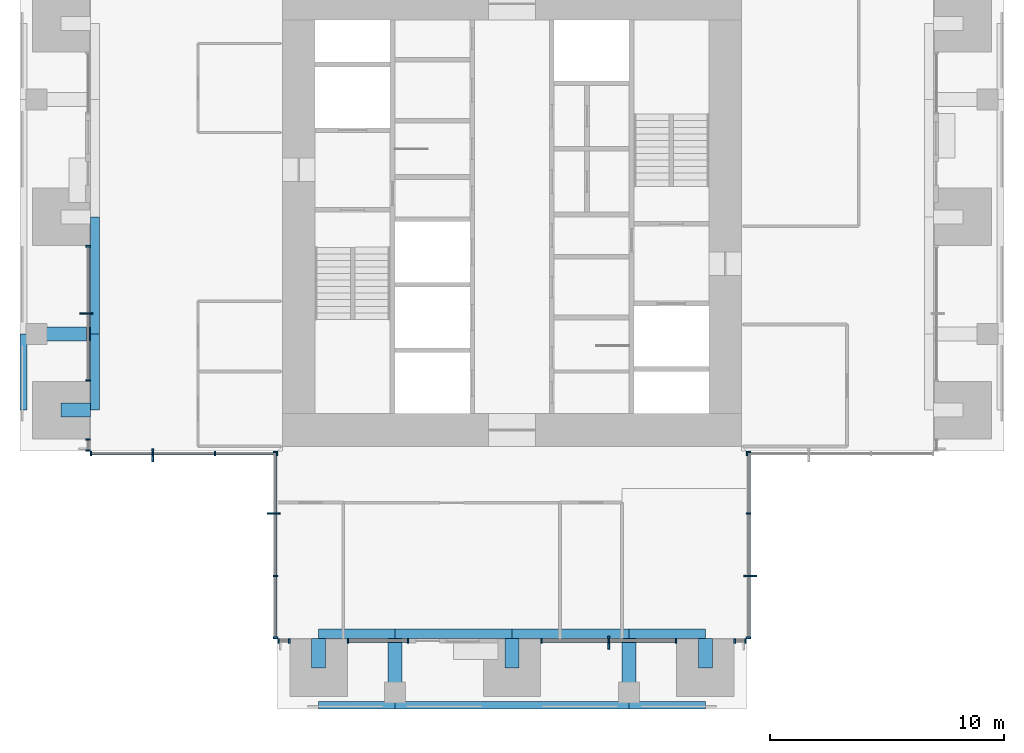
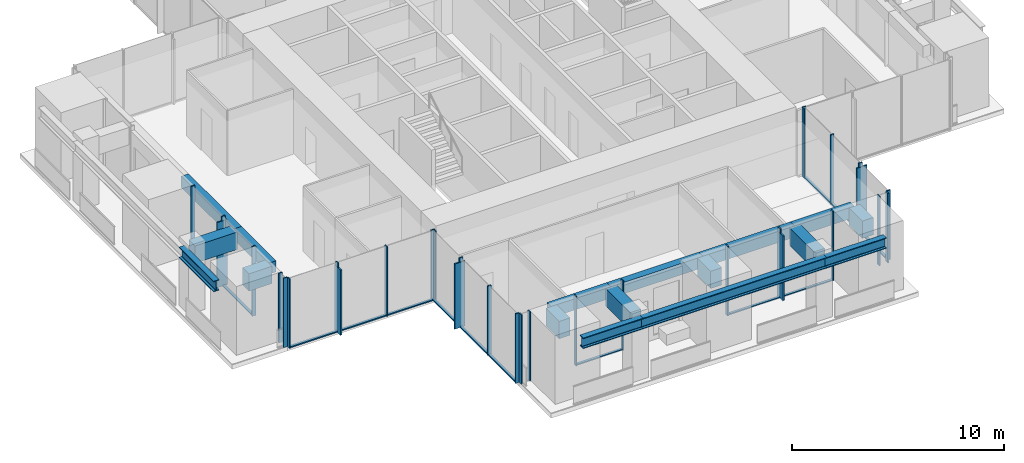
# One storey, part 2 of 17: 46 members, 17 beams, 10 elements without a shape of their own.
"""IFC4 building model written with IfcOpenShell, lengths in metres."""

from ifc_helpers import new_model, si_unit, direction, frame, origin, origin_2d, place, context, subcontext, project, spatial, rectangle, i_section, extrude, material, material_profile, profile_set, type_object, element, aggregate, save


model = new_model("IFC4")

# Units and contexts
model_context = context("Model", 3, precision=1e-05, world=origin(), true_north=direction((0.0, 1.0)))
body_context = subcontext(model_context, "Body", "Model", "MODEL_VIEW")
ifc_project = project(units=[si_unit("LENGTHUNIT", "METRE"), si_unit("AREAUNIT", "SQUARE_METRE"), si_unit("VOLUMEUNIT", "CUBIC_METRE"), si_unit("PLANEANGLEUNIT", "RADIAN"), si_unit("MASSUNIT", "GRAM", prefix="KILO")], contexts=[model_context])

# Site, building, storey
site_placement = place(None, origin())
site = spatial("IfcSite", under=ifc_project, at=site_placement, CompositionType="ELEMENT")
building_placement = place(site_placement, origin())
building = spatial("IfcBuilding", under=site, at=building_placement, Name="Svetlomir Tower", CompositionType="ELEMENT")
storey_placement = place(building_placement, frame((0.0, 0.0, 222.5)))
storey = spatial("IfcBuildingStorey", under=building, at=storey_placement, Name="L53", CompositionType="ELEMENT", Elevation=222.5)

# Curtain wall, member
ifc_material_1 = material(Name="Bronze anodised aluminium curtain wall", Category="aluminium")
curtain_wall_type = type_object("IfcCurtainWallType", Name="CURTAIN WALL CW1 TOWER OFFICE", PredefinedType="NOTDEFINED", material=ifc_material_1)
curtain_wall_1_placement = place(storey_placement, origin())
curtain_wall_1 = element("IfcCurtainWall", 1, at=curtain_wall_1_placement, inside=storey, type_object=curtain_wall_type, Name="Curtain wall CW1 L53", PredefinedType="NOTDEFINED")
ifc_material_2 = material(Name="Bronze anodised aluminium", Category="aluminium")
ifc_material_profile_1 = material_profile(ifc_material_2, rectangle(XDim=0.080078125, YDim=0.550048828125, at=origin_2d()), Name="FIN 80x550")
ifc_profile_set_1 = profile_set([ifc_material_profile_1], Name="Bronze anodised aluminium 6063-T6")
member_type_1 = type_object("IfcMemberType", Name="BRONZE FIN 80x550", PredefinedType="USERDEFINED", material=ifc_profile_set_1)
member_1_placement = place(storey_placement, frame((25.125, 2.824951171875, 0.0), z_axis=(0.0, 0.0, 1.0), x_axis=(1.0, 0.0, 0.0)))
member_1 = element("IfcMember", 2, at=member_1_placement, type_object=member_type_1, Name="Bronze fin L53", ObjectType="FIN", PredefinedType="USERDEFINED", context=body_context, shape_type="SweptSolid", body=[
    extrude(rectangle(XDim=0.080078125, YDim=0.550048828125, at=origin_2d()), origin(), (0.0, 0.0, 1.0), 3.75),
])

curtain_wall_2_placement = place(storey_placement, origin())
curtain_wall_2 = element("IfcCurtainWall", 3, at=curtain_wall_2_placement, inside=storey, type_object=curtain_wall_type, Name="Curtain wall CW1 L53", PredefinedType="NOTDEFINED")
member_2_placement = place(storey_placement, frame((31.175048828125, 5.666748046875, 0.0), z_axis=(0.0, 0.0, 1.0), x_axis=(0.0, 1.0, 0.0)))
member_2 = element("IfcMember", 4, at=member_2_placement, type_object=member_type_1, Name="Bronze fin L53", ObjectType="FIN", PredefinedType="USERDEFINED", context=body_context, shape_type="SweptSolid", body=[
    extrude(rectangle(XDim=0.080078125, YDim=0.550048828125, at=origin_2d()), origin(), (0.0, 0.0, 1.0), 3.75),
])

curtain_wall_3_placement = place(storey_placement, origin())
curtain_wall_3 = element("IfcCurtainWall", 5, at=curtain_wall_3_placement, inside=storey, type_object=curtain_wall_type, Name="Curtain wall CW1 L53", PredefinedType="NOTDEFINED")
member_3_placement = place(storey_placement, frame((2.824951171875, 16.875, 0.0), z_axis=(0.0, 0.0, 1.0), x_axis=(0.0, 1.0, 0.0)))
member_3 = element("IfcMember", 6, at=member_3_placement, type_object=member_type_1, Name="Bronze fin L53", ObjectType="FIN", PredefinedType="USERDEFINED", context=body_context, shape_type="SweptSolid", body=[
    extrude(rectangle(XDim=0.080078125, YDim=0.550048828125, at=origin_2d()), origin(), (0.0, 0.0, 1.0), 3.75),
])

curtain_wall_4_placement = place(storey_placement, origin())
curtain_wall_4 = element("IfcCurtainWall", 7, at=curtain_wall_4_placement, inside=storey, type_object=curtain_wall_type, Name="Curtain wall CW1 L53", PredefinedType="NOTDEFINED")
member_4_placement = place(storey_placement, frame((5.666748046875, 10.824951171875, 0.0), z_axis=(0.0, 0.0, 1.0), x_axis=(1.0, 0.0, 0.0)))
member_4 = element("IfcMember", 8, at=member_4_placement, type_object=member_type_1, Name="Bronze fin L53", ObjectType="FIN", PredefinedType="USERDEFINED", context=body_context, shape_type="SweptSolid", body=[
    extrude(rectangle(XDim=0.080078125, YDim=0.550048828125, at=origin_2d()), origin(), (0.0, 0.0, 1.0), 3.75),
])

curtain_wall_5_placement = place(storey_placement, origin())
curtain_wall_5 = element("IfcCurtainWall", 9, at=curtain_wall_5_placement, inside=storey, type_object=curtain_wall_type, Name="Curtain wall CW1 L53", PredefinedType="NOTDEFINED")
member_5_placement = place(storey_placement, frame((10.824951171875, 8.333251953125, 0.0), z_axis=(0.0, 0.0, 1.0), x_axis=(0.0, 1.0, 0.0)))
member_5 = element("IfcMember", 10, at=member_5_placement, type_object=member_type_1, Name="Bronze fin L53", ObjectType="FIN", PredefinedType="USERDEFINED", context=body_context, shape_type="SweptSolid", body=[
    extrude(rectangle(XDim=0.080078125, YDim=0.550048828125, at=origin_2d()), origin(), (0.0, 0.0, 1.0), 3.75),
])

# Curtain wall, members
curtain_wall_6_placement = place(storey_placement, origin())
curtain_wall_6 = element("IfcCurtainWall", 11, at=curtain_wall_6_placement, inside=storey, type_object=curtain_wall_type, Name="Curtain wall CW1 L53", PredefinedType="NOTDEFINED")
ifc_material_3 = material(Name="Bronze anodised aluminium", Category="aluminium")
ifc_material_profile_2 = material_profile(ifc_material_3, rectangle(XDim=0.06494140625, YDim=0.199951171875, at=origin_2d()), Name="AL 65x200")
ifc_profile_set_2 = profile_set([ifc_material_profile_2], Name="Bronze anodised aluminium 6063-T6")
member_type_2 = type_object("IfcMemberType", Name="CW1 MULLION 65x200", PredefinedType="MULLION", material=ifc_profile_set_2)
member_6_placement = place(storey_placement, frame((11.032470703125, 2.89990234375, 0.0), z_axis=(0.0, 0.0, 1.0), x_axis=(1.0, 0.0, 0.0)))
member_6 = element("IfcMember", 12, at=member_6_placement, type_object=member_type_2, Name="CW1 mullion 1", PredefinedType="MULLION", context=body_context, shape_type="SweptSolid", body=[
    extrude(rectangle(XDim=0.06494140625, YDim=0.199951171875, at=origin_2d()), origin(), (0.0, 0.0, 1.0), 4.0),
])
member_7_placement = place(storey_placement, frame((11.492431640625, 2.89990234375, 0.0), z_axis=(0.0, 0.0, 1.0), x_axis=(1.0, 0.0, 0.0)))
member_7 = element("IfcMember", 13, at=member_7_placement, type_object=member_type_2, Name="CW1 mullion 2", PredefinedType="MULLION", context=body_context, shape_type="SweptSolid", body=[
    extrude(rectangle(XDim=0.06494140625, YDim=0.199951171875, at=origin_2d()), origin(), (0.0, 0.0, 1.0), 4.0),
])
aggregate(curtain_wall_6, [member_6, member_7])

curtain_wall_7_placement = place(storey_placement, origin())
curtain_wall_7 = element("IfcCurtainWall", 14, at=curtain_wall_7_placement, inside=storey, type_object=curtain_wall_type, Name="Curtain wall CW1 L53", PredefinedType="NOTDEFINED")
member_8_placement = place(storey_placement, frame((14.007568359375, 2.89990234375, 0.0), z_axis=(0.0, 0.0, 1.0), x_axis=(1.0, 0.0, 0.0)))
member_8 = element("IfcMember", 15, at=member_8_placement, type_object=member_type_2, Name="CW1 mullion 1", PredefinedType="MULLION", context=body_context, shape_type="SweptSolid", body=[
    extrude(rectangle(XDim=0.06494140625, YDim=0.199951171875, at=origin_2d()), origin(), (0.0, 0.0, 1.0), 4.0),
])
member_9_placement = place(storey_placement, frame((16.5673828125, 2.89990234375, 0.0), z_axis=(0.0, 0.0, 1.0), x_axis=(1.0, 0.0, 0.0)))
member_9 = element("IfcMember", 16, at=member_9_placement, type_object=member_type_2, Name="CW1 mullion 2", PredefinedType="MULLION", context=body_context, shape_type="SweptSolid", body=[
    extrude(rectangle(XDim=0.06494140625, YDim=0.199951171875, at=origin_2d()), origin(), (0.0, 0.0, 1.0), 4.0),
])

# Member
member_10_placement = place(storey_placement, frame((22.257568359375, 2.89990234375, 0.0), z_axis=(0.0, 0.0, 1.0), x_axis=(1.0, 0.0, 0.0)))
member_10 = element("IfcMember", 17, at=member_10_placement, type_object=member_type_2, Name="CW1 mullion 1", PredefinedType="MULLION", context=body_context, shape_type="SweptSolid", body=[
    extrude(rectangle(XDim=0.06494140625, YDim=0.199951171875, at=origin_2d()), origin(), (0.0, 0.0, 1.0), 4.0),
])

member_11_placement = place(storey_placement, frame((25.125, 2.89990234375, 0.0), z_axis=(0.0, 0.0, 1.0), x_axis=(1.0, 0.0, 0.0)))
member_11 = element("IfcMember", 18, at=member_11_placement, type_object=member_type_2, Name="CW1 mullion 2", PredefinedType="MULLION", context=body_context, shape_type="SweptSolid", body=[
    extrude(rectangle(XDim=0.06494140625, YDim=0.199951171875, at=origin_2d()), origin(), (0.0, 0.0, 1.0), 4.0),
])

member_12_placement = place(storey_placement, frame((27.992431640625, 2.89990234375, 0.0), z_axis=(0.0, 0.0, 1.0), x_axis=(1.0, 0.0, 0.0)))
member_12 = element("IfcMember", 19, at=member_12_placement, type_object=member_type_2, Name="CW1 mullion 3", PredefinedType="MULLION", context=body_context, shape_type="SweptSolid", body=[
    extrude(rectangle(XDim=0.06494140625, YDim=0.199951171875, at=origin_2d()), origin(), (0.0, 0.0, 1.0), 4.0),
])

# Curtain wall, members
curtain_wall_8_placement = place(storey_placement, origin())
curtain_wall_8 = element("IfcCurtainWall", 20, at=curtain_wall_8_placement, inside=storey, type_object=curtain_wall_type, Name="Curtain wall CW1 L53", PredefinedType="NOTDEFINED")
member_13_placement = place(storey_placement, frame((30.507568359375, 2.89990234375, 0.0), z_axis=(0.0, 0.0, 1.0), x_axis=(1.0, 0.0, 0.0)))
member_13 = element("IfcMember", 21, at=member_13_placement, type_object=member_type_2, Name="CW1 mullion 1", PredefinedType="MULLION", context=body_context, shape_type="SweptSolid", body=[
    extrude(rectangle(XDim=0.06494140625, YDim=0.199951171875, at=origin_2d()), origin(), (0.0, 0.0, 1.0), 4.0),
])
member_14_placement = place(storey_placement, frame((30.967529296875, 2.89990234375, 0.0), z_axis=(0.0, 0.0, 1.0), x_axis=(1.0, 0.0, 0.0)))
member_14 = element("IfcMember", 22, at=member_14_placement, type_object=member_type_2, Name="CW1 mullion 2", PredefinedType="MULLION", context=body_context, shape_type="SweptSolid", body=[
    extrude(rectangle(XDim=0.06494140625, YDim=0.199951171875, at=origin_2d()), origin(), (0.0, 0.0, 1.0), 4.0),
])
aggregate(curtain_wall_8, [member_13, member_14])

# Member
member_15_placement = place(storey_placement, frame((31.10009765625, 3.032470703125, 0.0), z_axis=(0.0, 0.0, 1.0), x_axis=(0.0, 1.0, 0.0)))
member_15 = element("IfcMember", 23, at=member_15_placement, type_object=member_type_2, Name="CW1 mullion 1", PredefinedType="MULLION", context=body_context, shape_type="SweptSolid", body=[
    extrude(rectangle(XDim=0.06494140625, YDim=0.199951171875, at=origin_2d()), origin(), (0.0, 0.0, 1.0), 4.0),
])

member_16_placement = place(storey_placement, frame((31.10009765625, 5.666748046875, 0.0), z_axis=(0.0, 0.0, 1.0), x_axis=(0.0, 1.0, 0.0)))
member_16 = element("IfcMember", 24, at=member_16_placement, type_object=member_type_2, Name="CW1 mullion 2", PredefinedType="MULLION", context=body_context, shape_type="SweptSolid", body=[
    extrude(rectangle(XDim=0.06494140625, YDim=0.199951171875, at=origin_2d()), origin(), (0.0, 0.0, 1.0), 4.0),
])

member_17_placement = place(storey_placement, frame((31.10009765625, 8.333251953125, 0.0), z_axis=(0.0, 0.0, 1.0), x_axis=(0.0, 1.0, 0.0)))
member_17 = element("IfcMember", 25, at=member_17_placement, type_object=member_type_2, Name="CW1 mullion 3", PredefinedType="MULLION", context=body_context, shape_type="SweptSolid", body=[
    extrude(rectangle(XDim=0.06494140625, YDim=0.199951171875, at=origin_2d()), origin(), (0.0, 0.0, 1.0), 4.0),
])

member_18_placement = place(storey_placement, frame((31.10009765625, 10.967529296875, 0.0), z_axis=(0.0, 0.0, 1.0), x_axis=(0.0, 1.0, 0.0)))
member_18 = element("IfcMember", 26, at=member_18_placement, type_object=member_type_2, Name="CW1 mullion 4", PredefinedType="MULLION", context=body_context, shape_type="SweptSolid", body=[
    extrude(rectangle(XDim=0.06494140625, YDim=0.199951171875, at=origin_2d()), origin(), (0.0, 0.0, 1.0), 4.0),
])

# Curtain wall, member
curtain_wall_9_placement = place(storey_placement, origin())
curtain_wall_9 = element("IfcCurtainWall", 27, at=curtain_wall_9_placement, inside=storey, type_object=curtain_wall_type, Name="Curtain wall CW1 L53", PredefinedType="NOTDEFINED")
member_19_placement = place(storey_placement, frame((31.032470703125, 10.89990234375, 0.0), z_axis=(0.0, 0.0, 1.0), x_axis=(1.0, 0.0, 0.0)))
member_19 = element("IfcMember", 28, at=member_19_placement, type_object=member_type_2, Name="CW1 mullion 1", PredefinedType="MULLION", context=body_context, shape_type="SweptSolid", body=[
    extrude(rectangle(XDim=0.06494140625, YDim=0.199951171875, at=origin_2d()), origin(), (0.0, 0.0, 1.0), 4.0),
])
aggregate(curtain_wall_9, [member_19])

# Member
member_20_placement = place(storey_placement, frame((2.89990234375, 19.742431640625, 0.0), z_axis=(0.0, 0.0, 1.0), x_axis=(0.0, -1.0, 0.0)))
member_20 = element("IfcMember", 29, at=member_20_placement, type_object=member_type_2, Name="CW1 mullion 1", PredefinedType="MULLION", context=body_context, shape_type="SweptSolid", body=[
    extrude(rectangle(XDim=0.06494140625, YDim=0.199951171875, at=origin_2d()), origin(), (0.0, 0.0, 1.0), 4.0),
])

member_21_placement = place(storey_placement, frame((2.89990234375, 16.875, 0.0), z_axis=(0.0, 0.0, 1.0), x_axis=(0.0, -1.0, 0.0)))
member_21 = element("IfcMember", 30, at=member_21_placement, type_object=member_type_2, Name="CW1 mullion 2", PredefinedType="MULLION", context=body_context, shape_type="SweptSolid", body=[
    extrude(rectangle(XDim=0.06494140625, YDim=0.199951171875, at=origin_2d()), origin(), (0.0, 0.0, 1.0), 4.0),
])

member_22_placement = place(storey_placement, frame((2.89990234375, 14.007568359375, 0.0), z_axis=(0.0, 0.0, 1.0), x_axis=(0.0, -1.0, 0.0)))
member_22 = element("IfcMember", 31, at=member_22_placement, type_object=member_type_2, Name="CW1 mullion 3", PredefinedType="MULLION", context=body_context, shape_type="SweptSolid", body=[
    extrude(rectangle(XDim=0.06494140625, YDim=0.199951171875, at=origin_2d()), origin(), (0.0, 0.0, 1.0), 4.0),
])

# Curtain wall, members
curtain_wall_10_placement = place(storey_placement, origin())
curtain_wall_10 = element("IfcCurtainWall", 32, at=curtain_wall_10_placement, inside=storey, type_object=curtain_wall_type, Name="Curtain wall CW1 L53", PredefinedType="NOTDEFINED")
member_23_placement = place(storey_placement, frame((2.89990234375, 11.492431640625, 0.0), z_axis=(0.0, 0.0, 1.0), x_axis=(0.0, -1.0, 0.0)))
member_23 = element("IfcMember", 33, at=member_23_placement, type_object=member_type_2, Name="CW1 mullion 1", PredefinedType="MULLION", context=body_context, shape_type="SweptSolid", body=[
    extrude(rectangle(XDim=0.06494140625, YDim=0.199951171875, at=origin_2d()), origin(), (0.0, 0.0, 1.0), 4.0),
])
member_24_placement = place(storey_placement, frame((2.89990234375, 11.032470703125, 0.0), z_axis=(0.0, 0.0, 1.0), x_axis=(0.0, -1.0, 0.0)))
member_24 = element("IfcMember", 34, at=member_24_placement, type_object=member_type_2, Name="CW1 mullion 2", PredefinedType="MULLION", context=body_context, shape_type="SweptSolid", body=[
    extrude(rectangle(XDim=0.06494140625, YDim=0.199951171875, at=origin_2d()), origin(), (0.0, 0.0, 1.0), 4.0),
])
aggregate(curtain_wall_10, [member_23, member_24])

# Member
member_25_placement = place(storey_placement, frame((3.032470703125, 10.89990234375, 0.0), z_axis=(0.0, 0.0, 1.0), x_axis=(1.0, 0.0, 0.0)))
member_25 = element("IfcMember", 35, at=member_25_placement, type_object=member_type_2, Name="CW1 mullion 1", PredefinedType="MULLION", context=body_context, shape_type="SweptSolid", body=[
    extrude(rectangle(XDim=0.06494140625, YDim=0.199951171875, at=origin_2d()), origin(), (0.0, 0.0, 1.0), 4.0),
])

member_26_placement = place(storey_placement, frame((5.666748046875, 10.89990234375, 0.0), z_axis=(0.0, 0.0, 1.0), x_axis=(1.0, 0.0, 0.0)))
member_26 = element("IfcMember", 36, at=member_26_placement, type_object=member_type_2, Name="CW1 mullion 2", PredefinedType="MULLION", context=body_context, shape_type="SweptSolid", body=[
    extrude(rectangle(XDim=0.06494140625, YDim=0.199951171875, at=origin_2d()), origin(), (0.0, 0.0, 1.0), 4.0),
])

member_27_placement = place(storey_placement, frame((8.333251953125, 10.89990234375, 0.0), z_axis=(0.0, 0.0, 1.0), x_axis=(1.0, 0.0, 0.0)))
member_27 = element("IfcMember", 37, at=member_27_placement, type_object=member_type_2, Name="CW1 mullion 3", PredefinedType="MULLION", context=body_context, shape_type="SweptSolid", body=[
    extrude(rectangle(XDim=0.06494140625, YDim=0.199951171875, at=origin_2d()), origin(), (0.0, 0.0, 1.0), 4.0),
])

member_28_placement = place(storey_placement, frame((10.967529296875, 10.89990234375, 0.0), z_axis=(0.0, 0.0, 1.0), x_axis=(1.0, 0.0, 0.0)))
member_28 = element("IfcMember", 38, at=member_28_placement, type_object=member_type_2, Name="CW1 mullion 4", PredefinedType="MULLION", context=body_context, shape_type="SweptSolid", body=[
    extrude(rectangle(XDim=0.06494140625, YDim=0.199951171875, at=origin_2d()), origin(), (0.0, 0.0, 1.0), 4.0),
])

member_29_placement = place(storey_placement, frame((10.89990234375, 10.967529296875, 0.0), z_axis=(0.0, 0.0, 1.0), x_axis=(0.0, -1.0, 0.0)))
member_29 = element("IfcMember", 39, at=member_29_placement, type_object=member_type_2, Name="CW1 mullion 1", PredefinedType="MULLION", context=body_context, shape_type="SweptSolid", body=[
    extrude(rectangle(XDim=0.06494140625, YDim=0.199951171875, at=origin_2d()), origin(), (0.0, 0.0, 1.0), 4.0),
])

member_30_placement = place(storey_placement, frame((10.89990234375, 8.333251953125, 0.0), z_axis=(0.0, 0.0, 1.0), x_axis=(0.0, -1.0, 0.0)))
member_30 = element("IfcMember", 40, at=member_30_placement, type_object=member_type_2, Name="CW1 mullion 2", PredefinedType="MULLION", context=body_context, shape_type="SweptSolid", body=[
    extrude(rectangle(XDim=0.06494140625, YDim=0.199951171875, at=origin_2d()), origin(), (0.0, 0.0, 1.0), 4.0),
])

member_31_placement = place(storey_placement, frame((10.89990234375, 5.666748046875, 0.0), z_axis=(0.0, 0.0, 1.0), x_axis=(0.0, -1.0, 0.0)))
member_31 = element("IfcMember", 41, at=member_31_placement, type_object=member_type_2, Name="CW1 mullion 3", PredefinedType="MULLION", context=body_context, shape_type="SweptSolid", body=[
    extrude(rectangle(XDim=0.06494140625, YDim=0.199951171875, at=origin_2d()), origin(), (0.0, 0.0, 1.0), 4.0),
])

member_32_placement = place(storey_placement, frame((10.89990234375, 3.032470703125, 0.0), z_axis=(0.0, 0.0, 1.0), x_axis=(0.0, -1.0, 0.0)))
member_32 = element("IfcMember", 42, at=member_32_placement, type_object=member_type_2, Name="CW1 mullion 4", PredefinedType="MULLION", context=body_context, shape_type="SweptSolid", body=[
    extrude(rectangle(XDim=0.06494140625, YDim=0.199951171875, at=origin_2d()), origin(), (0.0, 0.0, 1.0), 4.0),
])

ifc_material_4 = material(Name="Bronze anodised aluminium", Category="aluminium")
ifc_material_profile_3 = material_profile(ifc_material_4, rectangle(XDim=0.139892578125, YDim=0.06494140625, at=origin_2d()), Name="AL 140x65")
ifc_profile_set_3 = profile_set([ifc_material_profile_3], Name="Bronze anodised aluminium 6063-T6")
member_type_3 = type_object("IfcMemberType", Name="CW1 TRANSOM 65x140", PredefinedType="USERDEFINED", material=ifc_profile_set_3)
member_33_placement = place(storey_placement, frame((14.0400390625, 2.89990234375, 0.032470703125), z_axis=(1.0, 0.0, 0.0), x_axis=(0.0, 1.0, 0.0)))
member_33 = element("IfcMember", 43, at=member_33_placement, type_object=member_type_3, Name="CW1 transom 1.1", ObjectType="TRANSOM", PredefinedType="USERDEFINED", context=body_context, shape_type="SweptSolid", body=[
    extrude(rectangle(XDim=0.139892578125, YDim=0.06494140625, at=origin_2d()), origin(), (0.0, 0.0, 1.0), 2.494873046875),
])

aggregate(curtain_wall_7, [member_8, member_9, member_33])

member_34_placement = place(storey_placement, frame((22.2900390625, 2.89990234375, 0.032470703125), z_axis=(1.0, 0.0, 0.0), x_axis=(0.0, 1.0, 0.0)))
member_34 = element("IfcMember", 44, at=member_34_placement, type_object=member_type_3, Name="CW1 transom 1.1", ObjectType="TRANSOM", PredefinedType="USERDEFINED", context=body_context, shape_type="SweptSolid", body=[
    extrude(rectangle(XDim=0.139892578125, YDim=0.06494140625, at=origin_2d()), origin(), (0.0, 0.0, 1.0), 2.802490234375),
])

member_35_placement = place(storey_placement, frame((25.157470703125, 2.89990234375, 0.032470703125), z_axis=(1.0, 0.0, 0.0), x_axis=(0.0, 1.0, 0.0)))
member_35 = element("IfcMember", 45, at=member_35_placement, type_object=member_type_3, Name="CW1 transom 2.1", ObjectType="TRANSOM", PredefinedType="USERDEFINED", context=body_context, shape_type="SweptSolid", body=[
    extrude(rectangle(XDim=0.139892578125, YDim=0.06494140625, at=origin_2d()), origin(), (0.0, 0.0, 1.0), 2.802490234375),
])

aggregate(curtain_wall_1, [member_10, member_11, member_12, member_34, member_35, member_1])

member_36_placement = place(storey_placement, frame((31.10009765625, 3.06494140625, 0.032470703125), z_axis=(0.0, 1.0, 0.0), x_axis=(-1.0, 0.0, 0.0)))
member_36 = element("IfcMember", 46, at=member_36_placement, type_object=member_type_3, Name="CW1 transom 1.1", ObjectType="TRANSOM", PredefinedType="USERDEFINED", context=body_context, shape_type="SweptSolid", body=[
    extrude(rectangle(XDim=0.139892578125, YDim=0.06494140625, at=origin_2d()), origin(), (0.0, 0.0, 1.0), 2.5693359375),
])

member_37_placement = place(storey_placement, frame((31.10009765625, 5.69921875, 0.032470703125), z_axis=(0.0, 1.0, 0.0), x_axis=(-1.0, 0.0, 0.0)))
member_37 = element("IfcMember", 47, at=member_37_placement, type_object=member_type_3, Name="CW1 transom 2.1", ObjectType="TRANSOM", PredefinedType="USERDEFINED", context=body_context, shape_type="SweptSolid", body=[
    extrude(rectangle(XDim=0.139892578125, YDim=0.06494140625, at=origin_2d()), origin(), (0.0, 0.0, 1.0), 2.6015625),
])

member_38_placement = place(storey_placement, frame((31.10009765625, 8.36572265625, 0.032470703125), z_axis=(0.0, 1.0, 0.0), x_axis=(-1.0, 0.0, 0.0)))
member_38 = element("IfcMember", 48, at=member_38_placement, type_object=member_type_3, Name="CW1 transom 3.1", ObjectType="TRANSOM", PredefinedType="USERDEFINED", context=body_context, shape_type="SweptSolid", body=[
    extrude(rectangle(XDim=0.139892578125, YDim=0.06494140625, at=origin_2d()), origin(), (0.0, 0.0, 1.0), 2.5693359375),
])

aggregate(curtain_wall_2, [member_15, member_16, member_17, member_18, member_36, member_37, member_38, member_2])

member_39_placement = place(storey_placement, frame((2.89990234375, 19.7099609375, 0.032470703125), z_axis=(0.0, -1.0, 0.0), x_axis=(1.0, 0.0, 0.0)))
member_39 = element("IfcMember", 49, at=member_39_placement, type_object=member_type_3, Name="CW1 transom 1.1", ObjectType="TRANSOM", PredefinedType="USERDEFINED", context=body_context, shape_type="SweptSolid", body=[
    extrude(rectangle(XDim=0.139892578125, YDim=0.06494140625, at=origin_2d()), origin(), (0.0, 0.0, 1.0), 2.802490234375),
])

member_40_placement = place(storey_placement, frame((2.89990234375, 16.842529296875, 0.032470703125), z_axis=(0.0, -1.0, 0.0), x_axis=(1.0, 0.0, 0.0)))
member_40 = element("IfcMember", 50, at=member_40_placement, type_object=member_type_3, Name="CW1 transom 2.1", ObjectType="TRANSOM", PredefinedType="USERDEFINED", context=body_context, shape_type="SweptSolid", body=[
    extrude(rectangle(XDim=0.139892578125, YDim=0.06494140625, at=origin_2d()), origin(), (0.0, 0.0, 1.0), 2.802490234375),
])

aggregate(curtain_wall_3, [member_20, member_21, member_22, member_39, member_40, member_3])

member_41_placement = place(storey_placement, frame((3.06494140625, 10.89990234375, 0.032470703125), z_axis=(1.0, 0.0, 0.0), x_axis=(0.0, 1.0, 0.0)))
member_41 = element("IfcMember", 51, at=member_41_placement, type_object=member_type_3, Name="CW1 transom 1.1", ObjectType="TRANSOM", PredefinedType="USERDEFINED", context=body_context, shape_type="SweptSolid", body=[
    extrude(rectangle(XDim=0.139892578125, YDim=0.06494140625, at=origin_2d()), origin(), (0.0, 0.0, 1.0), 2.5693359375),
])

member_42_placement = place(storey_placement, frame((5.69921875, 10.89990234375, 0.032470703125), z_axis=(1.0, 0.0, 0.0), x_axis=(0.0, 1.0, 0.0)))
member_42 = element("IfcMember", 52, at=member_42_placement, type_object=member_type_3, Name="CW1 transom 2.1", ObjectType="TRANSOM", PredefinedType="USERDEFINED", context=body_context, shape_type="SweptSolid", body=[
    extrude(rectangle(XDim=0.139892578125, YDim=0.06494140625, at=origin_2d()), origin(), (0.0, 0.0, 1.0), 2.6015625),
])

member_43_placement = place(storey_placement, frame((8.36572265625, 10.89990234375, 0.032470703125), z_axis=(1.0, 0.0, 0.0), x_axis=(0.0, 1.0, 0.0)))
member_43 = element("IfcMember", 53, at=member_43_placement, type_object=member_type_3, Name="CW1 transom 3.1", ObjectType="TRANSOM", PredefinedType="USERDEFINED", context=body_context, shape_type="SweptSolid", body=[
    extrude(rectangle(XDim=0.139892578125, YDim=0.06494140625, at=origin_2d()), origin(), (0.0, 0.0, 1.0), 2.5693359375),
])

aggregate(curtain_wall_4, [member_25, member_26, member_27, member_28, member_41, member_42, member_43, member_4])

member_44_placement = place(storey_placement, frame((10.89990234375, 10.93505859375, 0.032470703125), z_axis=(0.0, -1.0, 0.0), x_axis=(1.0, 0.0, 0.0)))
member_44 = element("IfcMember", 54, at=member_44_placement, type_object=member_type_3, Name="CW1 transom 1.1", ObjectType="TRANSOM", PredefinedType="USERDEFINED", context=body_context, shape_type="SweptSolid", body=[
    extrude(rectangle(XDim=0.139892578125, YDim=0.06494140625, at=origin_2d()), origin(), (0.0, 0.0, 1.0), 2.5693359375),
])

member_45_placement = place(storey_placement, frame((10.89990234375, 8.30078125, 0.032470703125), z_axis=(0.0, -1.0, 0.0), x_axis=(1.0, 0.0, 0.0)))
member_45 = element("IfcMember", 55, at=member_45_placement, type_object=member_type_3, Name="CW1 transom 2.1", ObjectType="TRANSOM", PredefinedType="USERDEFINED", context=body_context, shape_type="SweptSolid", body=[
    extrude(rectangle(XDim=0.139892578125, YDim=0.06494140625, at=origin_2d()), origin(), (0.0, 0.0, 1.0), 2.6015625),
])

member_46_placement = place(storey_placement, frame((10.89990234375, 5.63427734375, 0.032470703125), z_axis=(0.0, -1.0, 0.0), x_axis=(1.0, 0.0, 0.0)))
member_46 = element("IfcMember", 56, at=member_46_placement, type_object=member_type_3, Name="CW1 transom 3.1", ObjectType="TRANSOM", PredefinedType="USERDEFINED", context=body_context, shape_type="SweptSolid", body=[
    extrude(rectangle(XDim=0.139892578125, YDim=0.06494140625, at=origin_2d()), origin(), (0.0, 0.0, 1.0), 2.5693359375),
])

aggregate(curtain_wall_5, [member_29, member_30, member_31, member_32, member_44, member_45, member_46, member_5])

# Beams
ifc_material_5 = material(Name="Steel S355", Category="steel")
ifc_material_profile_4 = material_profile(ifc_material_5, i_section(OverallWidth=0.304931640625, OverallDepth=0.6201171875, WebThickness=0.02099609375, FlangeThickness=0.0400390625, FilletRadius=0.027099609375, at=origin_2d()), Name="HEM 600")
ifc_profile_set_4 = profile_set([ifc_material_profile_4], Name="Steel S355")
beam_type_1 = type_object("IfcBeamType", Name="EDGE BEAM HEM 600", PredefinedType="SPANDREL", material=ifc_profile_set_4)
for number, where, z_axis, x_axis, name in (
    (57, (12.75, 0.152587890625, 3.43994140625), (1.0, 0.0, 0.0), (0.0, 1.0, 0.0), "Edge beam 11/0 to 16/0 under L54"),
    (58, (0.152587890625, 12.75, 3.43994140625), (0.0, 1.0, 0.0), (-1.0, 0.0, 0.0), "Edge beam 0/11 to 0/16 under L54"),
):
    element("IfcBeam", number, at=place(storey_placement, frame(where, z_axis=z_axis, x_axis=x_axis)), inside=storey, type_object=beam_type_1, Name=name, PredefinedType="SPANDREL", context=body_context, shape_type="SweptSolid", body=[
        extrude(i_section(OverallWidth=0.304931640625, OverallDepth=0.6201171875, WebThickness=0.02099609375, FlangeThickness=0.0400390625, FilletRadius=0.027099609375, at=origin_2d()), origin(), (0.0, 0.0, 1.0), 3.25),
    ])
beam_1_placement = place(storey_placement, frame((16.0, 0.152587890625, 3.43994140625), z_axis=(1.0, 0.0, 0.0), x_axis=(0.0, 1.0, 0.0)))
element("IfcBeam", 59, at=beam_1_placement, inside=storey, type_object=beam_type_1, Name="Edge beam 16/0 to 26/0 under L54", PredefinedType="SPANDREL", context=body_context, shape_type="SweptSolid", body=[
    extrude(i_section(OverallWidth=0.304931640625, OverallDepth=0.6201171875, WebThickness=0.02099609375, FlangeThickness=0.0400390625, FilletRadius=0.027099609375, at=origin_2d()), origin(), (0.0, 0.0, 1.0), 10.0),
])
beam_2_placement = place(storey_placement, frame((26.0, 0.152587890625, 3.43994140625), z_axis=(1.0, 0.0, 0.0), x_axis=(0.0, 1.0, 0.0)))
element("IfcBeam", 60, at=beam_2_placement, inside=storey, type_object=beam_type_1, Name="Edge beam 26/0 to 31/0 under L54", PredefinedType="SPANDREL", context=body_context, shape_type="SweptSolid", body=[
    extrude(i_section(OverallWidth=0.304931640625, OverallDepth=0.6201171875, WebThickness=0.02099609375, FlangeThickness=0.0400390625, FilletRadius=0.027099609375, at=origin_2d()), origin(), (0.0, 0.0, 1.0), 3.25),
])
ifc_material_6 = material(Name="Concrete C60/75", Category="concrete")
ifc_material_profile_5 = material_profile(ifc_material_6, rectangle(XDim=0.39990234375, YDim=0.64990234375, at=origin_2d()), Name="RC 400x650")
ifc_profile_set_5 = profile_set([ifc_material_profile_5], Name="Concrete C60/75")
beam_type_2 = type_object("IfcBeamType", Name="FACADE EDGE BEAM RC 400x650", PredefinedType="BEAM", material=ifc_profile_set_5)
beam_3_placement = place(storey_placement, frame((12.75, 3.199951171875, 3.425048828125), z_axis=(1.0, 0.0, 0.0), x_axis=(0.0, 1.0, 0.0)))
element("IfcBeam", 61, at=beam_3_placement, inside=storey, type_object=beam_type_2, Name="Facade edge beam S 11 to 16 under L54", PredefinedType="BEAM", context=body_context, shape_type="SweptSolid", body=[
    extrude(rectangle(XDim=0.39990234375, YDim=0.64990234375, at=origin_2d()), origin(), (0.0, 0.0, 1.0), 3.25),
])
for number, where, z_axis, x_axis, name in (
    (62, (16.0, 3.199951171875, 3.425048828125), (1.0, 0.0, 0.0), (0.0, 1.0, 0.0), "Facade edge beam S 16 to 21 under L54"),
    (63, (21.0, 3.199951171875, 3.425048828125), (1.0, 0.0, 0.0), (0.0, 1.0, 0.0), "Facade edge beam S 21 to 26 under L54"),
):
    element("IfcBeam", number, at=place(storey_placement, frame(where, z_axis=z_axis, x_axis=x_axis)), inside=storey, type_object=beam_type_2, Name=name, PredefinedType="BEAM", context=body_context, shape_type="SweptSolid", body=[
        extrude(rectangle(XDim=0.39990234375, YDim=0.64990234375, at=origin_2d()), origin(), (0.0, 0.0, 1.0), 5.0),
    ])
for number, where, z_axis, x_axis, name in (
    (64, (26.0, 3.199951171875, 3.425048828125), (1.0, 0.0, 0.0), (0.0, 1.0, 0.0), "Facade edge beam S 26 to 31 under L54"),
    (65, (3.199951171875, 12.75, 3.425048828125), (0.0, 1.0, 0.0), (-1.0, 0.0, 0.0), "Facade edge beam W 11 to 16 under L54"),
):
    element("IfcBeam", number, at=place(storey_placement, frame(where, z_axis=z_axis, x_axis=x_axis)), inside=storey, type_object=beam_type_2, Name=name, PredefinedType="BEAM", context=body_context, shape_type="SweptSolid", body=[
        extrude(rectangle(XDim=0.39990234375, YDim=0.64990234375, at=origin_2d()), origin(), (0.0, 0.0, 1.0), 3.25),
    ])
beam_4_placement = place(storey_placement, frame((3.199951171875, 16.0, 3.425048828125), z_axis=(0.0, 1.0, 0.0), x_axis=(-1.0, 0.0, 0.0)))
element("IfcBeam", 66, at=beam_4_placement, inside=storey, type_object=beam_type_2, Name="Facade edge beam W 16 to 21 under L54", PredefinedType="BEAM", context=body_context, shape_type="SweptSolid", body=[
    extrude(rectangle(XDim=0.39990234375, YDim=0.64990234375, at=origin_2d()), origin(), (0.0, 0.0, 1.0), 5.0),
])
ifc_material_7 = material(Name="Concrete C60/75", Category="concrete")
ifc_material_profile_6 = material_profile(ifc_material_7, rectangle(XDim=0.60009765625, YDim=1.0, at=origin_2d()), Name="RC 600x1000")
ifc_profile_set_6 = profile_set([ifc_material_profile_6], Name="Concrete C60/75")
beam_type_3 = type_object("IfcBeamType", Name="LOGGIA LINK BEAM RC 600x1000", PredefinedType="BEAM", material=ifc_profile_set_6)
beam_5_placement = place(storey_placement, frame((12.75, 1.75, 3.25), z_axis=(0.0, 1.0, 0.0), x_axis=(-1.0, 0.0, 0.0)))
element("IfcBeam", 67, at=beam_5_placement, inside=storey, type_object=beam_type_3, Name="Loggia link beam S 11 under L54", PredefinedType="BEAM", context=body_context, shape_type="SweptSolid", body=[
    extrude(rectangle(XDim=0.60009765625, YDim=1.0, at=origin_2d()), origin(), (0.0, 0.0, 1.0), 1.25),
])
beam_6_placement = place(storey_placement, frame((16.0, 0.699951171875, 3.25), z_axis=(0.0, 1.0, 0.0), x_axis=(-1.0, 0.0, 0.0)))
element("IfcBeam", 68, at=beam_6_placement, inside=storey, type_object=beam_type_3, Name="Loggia link beam S 16 under L54", PredefinedType="BEAM", context=body_context, shape_type="SweptSolid", body=[
    extrude(rectangle(XDim=0.60009765625, YDim=1.0, at=origin_2d()), origin(), (0.0, 0.0, 1.0), 2.300048828125),
])
beam_7_placement = place(storey_placement, frame((21.0, 1.75, 3.25), z_axis=(0.0, 1.0, 0.0), x_axis=(-1.0, 0.0, 0.0)))
element("IfcBeam", 69, at=beam_7_placement, inside=storey, type_object=beam_type_3, Name="Loggia link beam S 21 under L54", PredefinedType="BEAM", context=body_context, shape_type="SweptSolid", body=[
    extrude(rectangle(XDim=0.60009765625, YDim=1.0, at=origin_2d()), origin(), (0.0, 0.0, 1.0), 1.25),
])
beam_8_placement = place(storey_placement, frame((26.0, 0.699951171875, 3.25), z_axis=(0.0, 1.0, 0.0), x_axis=(-1.0, 0.0, 0.0)))
element("IfcBeam", 70, at=beam_8_placement, inside=storey, type_object=beam_type_3, Name="Loggia link beam S 26 under L54", PredefinedType="BEAM", context=body_context, shape_type="SweptSolid", body=[
    extrude(rectangle(XDim=0.60009765625, YDim=1.0, at=origin_2d()), origin(), (0.0, 0.0, 1.0), 2.300048828125),
])
for number, where, z_axis, x_axis, name in (
    (71, (29.25, 1.75, 3.25), (0.0, 1.0, 0.0), (-1.0, 0.0, 0.0), "Loggia link beam S 31 under L54"),
    (72, (1.75, 12.75, 3.25), (1.0, 0.0, 0.0), (0.0, 1.0, 0.0), "Loggia link beam W 11 under L54"),
):
    element("IfcBeam", number, at=place(storey_placement, frame(where, z_axis=z_axis, x_axis=x_axis)), inside=storey, type_object=beam_type_3, Name=name, PredefinedType="BEAM", context=body_context, shape_type="SweptSolid", body=[
        extrude(rectangle(XDim=0.60009765625, YDim=1.0, at=origin_2d()), origin(), (0.0, 0.0, 1.0), 1.25),
    ])
beam_9_placement = place(storey_placement, frame((0.699951171875, 16.0, 3.25), z_axis=(1.0, 0.0, 0.0), x_axis=(0.0, 1.0, 0.0)))
element("IfcBeam", 73, at=beam_9_placement, inside=storey, type_object=beam_type_3, Name="Loggia link beam W 16 under L54", PredefinedType="BEAM", context=body_context, shape_type="SweptSolid", body=[
    extrude(rectangle(XDim=0.60009765625, YDim=1.0, at=origin_2d()), origin(), (0.0, 0.0, 1.0), 2.300048828125),
])

save(model, "model.ifc")
